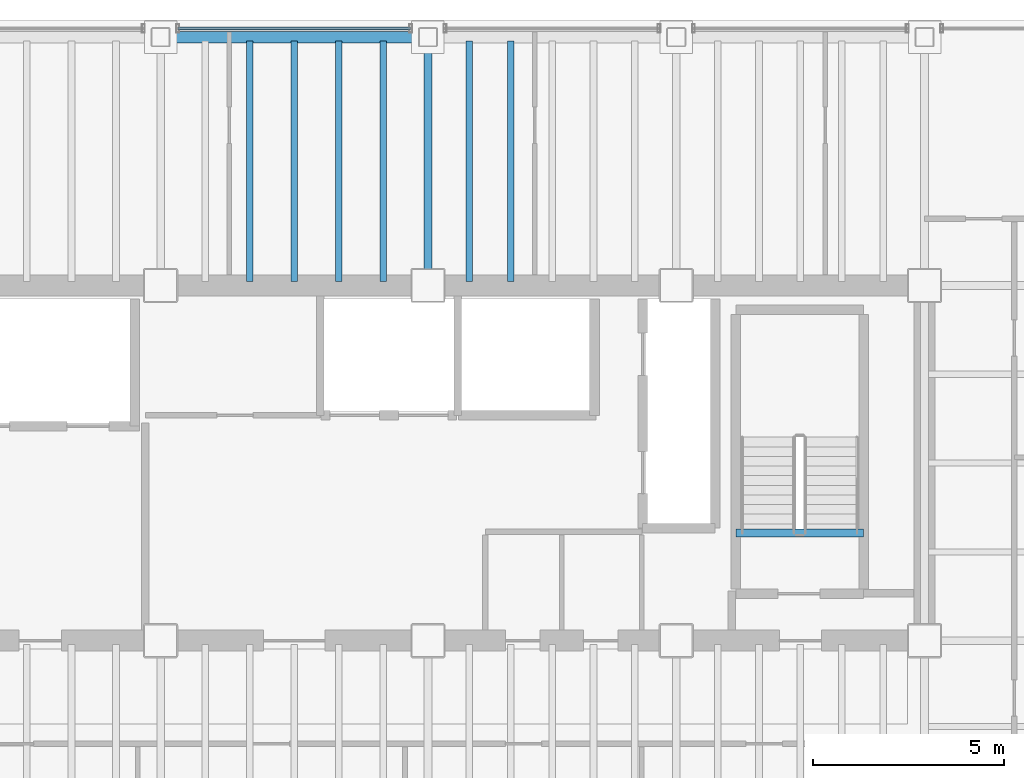
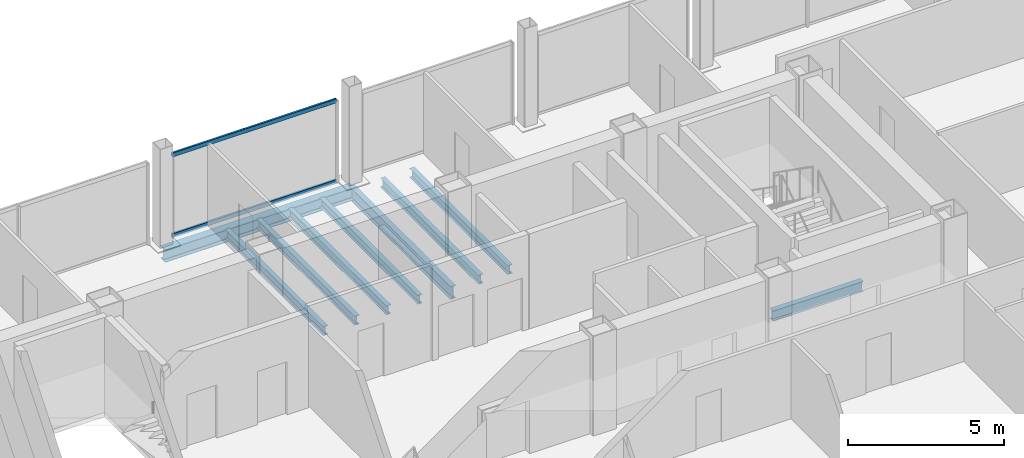
# One storey, part 8 of 16: 9 beams, 2 members, 1 element without a shape of its own.
"""IFC4 building model written with IfcOpenShell, lengths in metres."""

from ifc_helpers import new_model, si_unit, direction, frame, origin, origin_2d, place, context, subcontext, project, spatial, hollow_rectangle, i_section, extrude, material, material_profile, profile_set, type_object, element, aggregate, save


model = new_model("IFC4")

# Units and contexts
model_context = context("Model", 3, precision=1e-05, world=origin(), true_north=direction((0.0, 1.0)))
body_context = subcontext(model_context, "Body", "Model", "MODEL_VIEW")
ifc_project = project(units=[si_unit("LENGTHUNIT", "METRE"), si_unit("AREAUNIT", "SQUARE_METRE"), si_unit("VOLUMEUNIT", "CUBIC_METRE"), si_unit("PLANEANGLEUNIT", "RADIAN"), si_unit("MASSUNIT", "GRAM", prefix="KILO")], contexts=[model_context])

# Site, building, storey
site_placement = place(None, origin())
site = spatial("IfcSite", under=ifc_project, at=site_placement, CompositionType="ELEMENT")
building_placement = place(site_placement, origin())
building = spatial("IfcBuilding", under=site, at=building_placement, Name="Noeulbin Bourse Tower", CompositionType="ELEMENT")
storey_placement = place(building_placement, frame((0.0, 0.0, 177.300048828125)))
storey = spatial("IfcBuildingStorey", under=building, at=storey_placement, Name="L44", CompositionType="ELEMENT", Elevation=177.300048828125)

# Beams
ifc_material_1 = material(Name="Steel S355", Category="steel")
ifc_material_profile_1 = material_profile(ifc_material_1, i_section(OverallWidth=0.199951171875, OverallDepth=0.5, WebThickness=0.010009765625, FlangeThickness=0.01611328125, FilletRadius=0.02001953125, at=origin_2d()), Name="H-500x200x10x16", Category="LoadBearing")
ifc_profile_set_1 = profile_set([ifc_material_profile_1], Name="Steel S355")
beam_type_1 = type_object("IfcBeamType", Name="BM-GRD-500", PredefinedType="USERDEFINED", material=ifc_profile_set_1)
beam_1_placement = place(storey_placement, frame((31.0, 38.300048828125, -0.429931640625), z_axis=(0.0, 1.0, 0.0), x_axis=(-1.0, 0.0, 0.0)))
element("IfcBeam", 1, at=beam_1_placement, inside=storey, type_object=beam_type_1, Name="Tower Primary Girder NS L44-3.4", ObjectType="GIRDER", PredefinedType="USERDEFINED", context=body_context, shape_type="SweptSolid", body=[
    extrude(i_section(OverallWidth=0.199951171875, OverallDepth=0.5, WebThickness=0.010009765625, FlangeThickness=0.01611328125, FilletRadius=0.02001953125, at=origin_2d()), origin(), (0.0, 0.0, 1.0), 6.5),
])
ifc_material_profile_2 = material_profile(ifc_material_1, i_section(OverallWidth=0.175048828125, OverallDepth=0.35009765625, WebThickness=0.007080078125, FlangeThickness=0.010986328125, FilletRadius=0.013916015625, at=origin_2d()), Name="H-350x175x7x11", Category="LoadBearing")
ifc_profile_set_2 = profile_set([ifc_material_profile_2], Name="Steel S355")
beam_type_2 = type_object("IfcBeamType", Name="BM-JST-350", PredefinedType="JOIST", material=ifc_profile_set_2)
for number, where, z_axis, x_axis, name in (
    (2, (26.333251953125, 38.39990234375, -0.35498046875), (0.0, 1.0, 0.0), (-1.0, 0.0, 0.0), "Tower Composite Joist L44-29"),
    (3, (27.5, 38.39990234375, -0.35498046875), (0.0, 1.0, 0.0), (-1.0, 0.0, 0.0), "Tower Composite Joist L44-31"),
    (4, (28.666748046875, 38.39990234375, -0.35498046875), (0.0, 1.0, 0.0), (-1.0, 0.0, 0.0), "Tower Composite Joist L44-33"),
    (5, (29.833251953125, 38.39990234375, -0.35498046875), (0.0, 1.0, 0.0), (-1.0, 0.0, 0.0), "Tower Composite Joist L44-36"),
    (6, (32.083251953125, 38.39990234375, -0.35498046875), (0.0, 1.0, 0.0), (-1.0, 0.0, 0.0), "Tower Composite Joist L44-39"),
    (7, (33.166748046875, 38.39990234375, -0.35498046875), (0.0, 1.0, 0.0), (-1.0, 0.0, 0.0), "Tower Composite Joist L44-42"),
):
    element("IfcBeam", number, at=place(storey_placement, frame(where, z_axis=z_axis, x_axis=x_axis)), inside=storey, type_object=beam_type_2, Name=name, PredefinedType="JOIST", context=body_context, shape_type="SweptSolid", body=[
        extrude(i_section(OverallWidth=0.175048828125, OverallDepth=0.35009765625, WebThickness=0.007080078125, FlangeThickness=0.010986328125, FilletRadius=0.013916015625, at=origin_2d()), origin(), (0.0, 0.0, 1.0), 6.300048828125),
    ])
ifc_material_profile_3 = material_profile(ifc_material_1, i_section(OverallWidth=0.199951171875, OverallDepth=0.39990234375, WebThickness=0.008056640625, FlangeThickness=0.012939453125, FilletRadius=0.01611328125, at=origin_2d()), Name="H-400x200x8x13", Category="LoadBearing")
ifc_profile_set_3 = profile_set([ifc_material_profile_3], Name="Steel S355")
beam_type_3 = type_object("IfcBeamType", Name="BM-SEC-400", PredefinedType="BEAM", material=ifc_profile_set_3)
beam_2_placement = place(storey_placement, frame((39.06005859375, 31.820068359375, -0.199951171875), z_axis=(1.0, 0.0, 0.0), x_axis=(0.0, 1.0, 0.0)))
element("IfcBeam", 8, at=beam_2_placement, inside=storey, type_object=beam_type_3, Name="Stair Threshold Trimmer Beam ST2-L44", PredefinedType="BEAM", context=body_context, shape_type="SweptSolid", body=[
    extrude(i_section(OverallWidth=0.199951171875, OverallDepth=0.39990234375, WebThickness=0.008056640625, FlangeThickness=0.012939453125, FilletRadius=0.01611328125, at=origin_2d()), origin(), (0.0, 0.0, 1.0), 3.33984375),
])
ifc_material_profile_4 = material_profile(ifc_material_1, i_section(OverallWidth=0.300048828125, OverallDepth=0.488037109375, WebThickness=0.010986328125, FlangeThickness=0.01806640625, FilletRadius=0.02197265625, at=origin_2d()), Name="H-488x300x11x18", Category="LoadBearing")
ifc_profile_set_4 = profile_set([ifc_material_profile_4], Name="Steel S355")
beam_type_4 = type_object("IfcBeamType", Name="BM-SPN-488", PredefinedType="SPANDREL", material=ifc_profile_set_4)
beam_3_placement = place(storey_placement, frame((24.0, 44.800048828125, -0.424072265625), z_axis=(1.0, 0.0, 0.0), x_axis=(0.0, 1.0, 0.0)))
element("IfcBeam", 9, at=beam_3_placement, inside=storey, type_object=beam_type_4, Name="North Spandrel L44-2", PredefinedType="SPANDREL", context=body_context, shape_type="SweptSolid", body=[
    extrude(i_section(OverallWidth=0.300048828125, OverallDepth=0.488037109375, WebThickness=0.010986328125, FlangeThickness=0.01806640625, FilletRadius=0.02197265625, at=origin_2d()), origin(), (0.0, 0.0, 1.0), 7.0),
])

# Curtain wall, members
ifc_material_2 = material(Name="Dark Tinted Triple Glazing", Category="glass")
curtain_wall_type = type_object("IfcCurtainWallType", Name="CW-SYS-3", PredefinedType="NOTDEFINED", material=ifc_material_2)
curtain_wall_placement = place(storey_placement, origin())
curtain_wall = element("IfcCurtainWall", 10, at=curtain_wall_placement, inside=storey, type_object=curtain_wall_type, Name="Unitised Curtain Wall CW-L44-N-S2", PredefinedType="NOTDEFINED")
ifc_material_3 = material(Name="Anodised Aluminium 6063-T6", Category="aluminium")
ifc_material_profile_5 = material_profile(ifc_material_3, hollow_rectangle(XDim=0.074951171875, YDim=0.159912109375, WallThickness=0.0048828125, InnerFilletRadius=0.00244140625, OuterFilletRadius=0.0048828125, at=origin_2d()), Name="ALU-TRAN-75x160x5", Category="LoadBearing")
ifc_profile_set_5 = profile_set([ifc_material_profile_5], Name="Anodised Aluminium 6063-T6")
member_type = type_object("IfcMemberType", Name="CW-SYS-3-TRN", PredefinedType="USERDEFINED", material=ifc_profile_set_5)
member_1_placement = place(storey_placement, frame((24.4599609375, 45.030029296875, 0.010009765625), z_axis=(1.0, 0.0, 0.0), x_axis=(0.0, 1.0, 0.0)))
member_1 = element("IfcMember", 11, at=member_1_placement, type_object=member_type, Name="Curtain Wall Transom CW-L44-N-S2-T00", ObjectType="TRANSOM", PredefinedType="USERDEFINED", context=body_context, shape_type="SweptSolid", body=[
    extrude(hollow_rectangle(XDim=0.074951171875, YDim=0.159912109375, WallThickness=0.0048828125, InnerFilletRadius=0.00244140625, OuterFilletRadius=0.0048828125, at=origin_2d()), origin(), (0.0, 0.0, 1.0), 6.080078125),
])
member_2_placement = place(storey_placement, frame((24.4599609375, 45.030029296875, 3.169921875), z_axis=(1.0, 0.0, 0.0), x_axis=(0.0, 1.0, 0.0)))
member_2 = element("IfcMember", 12, at=member_2_placement, type_object=member_type, Name="Curtain Wall Transom CW-L44-N-S2-T01", ObjectType="TRANSOM", PredefinedType="USERDEFINED", context=body_context, shape_type="SweptSolid", body=[
    extrude(hollow_rectangle(XDim=0.074951171875, YDim=0.159912109375, WallThickness=0.0048828125, InnerFilletRadius=0.00244140625, OuterFilletRadius=0.0048828125, at=origin_2d()), origin(), (0.0, 0.0, 1.0), 6.080078125),
])
aggregate(curtain_wall, [member_1, member_2])

save(model, "model.ifc")
